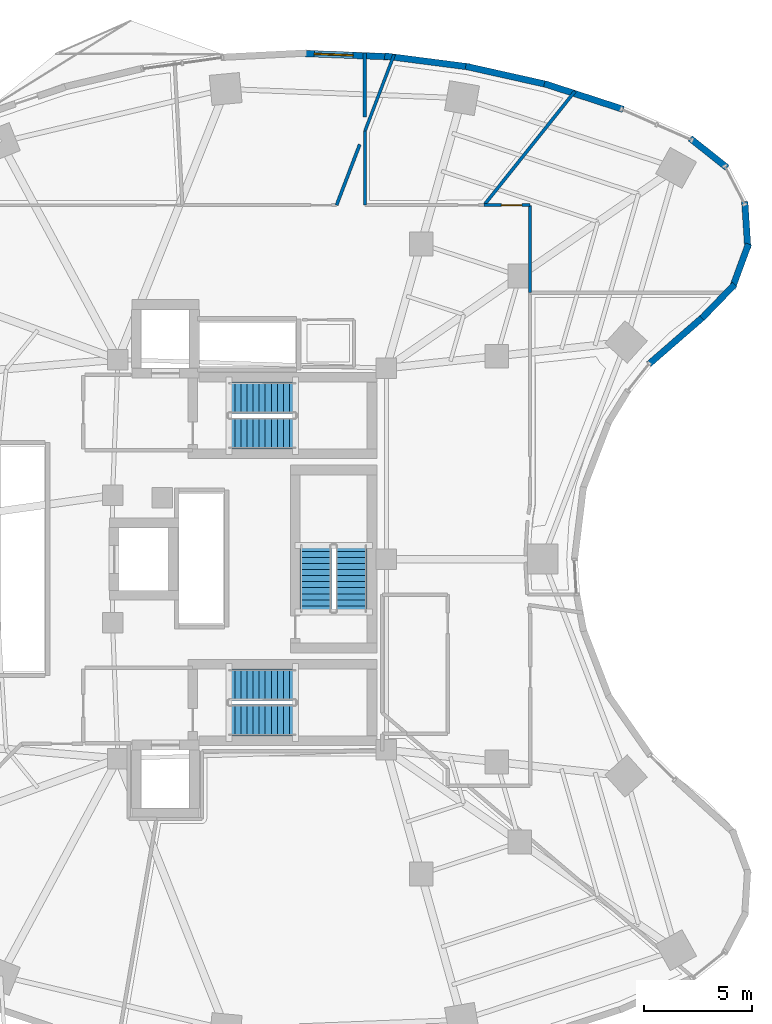
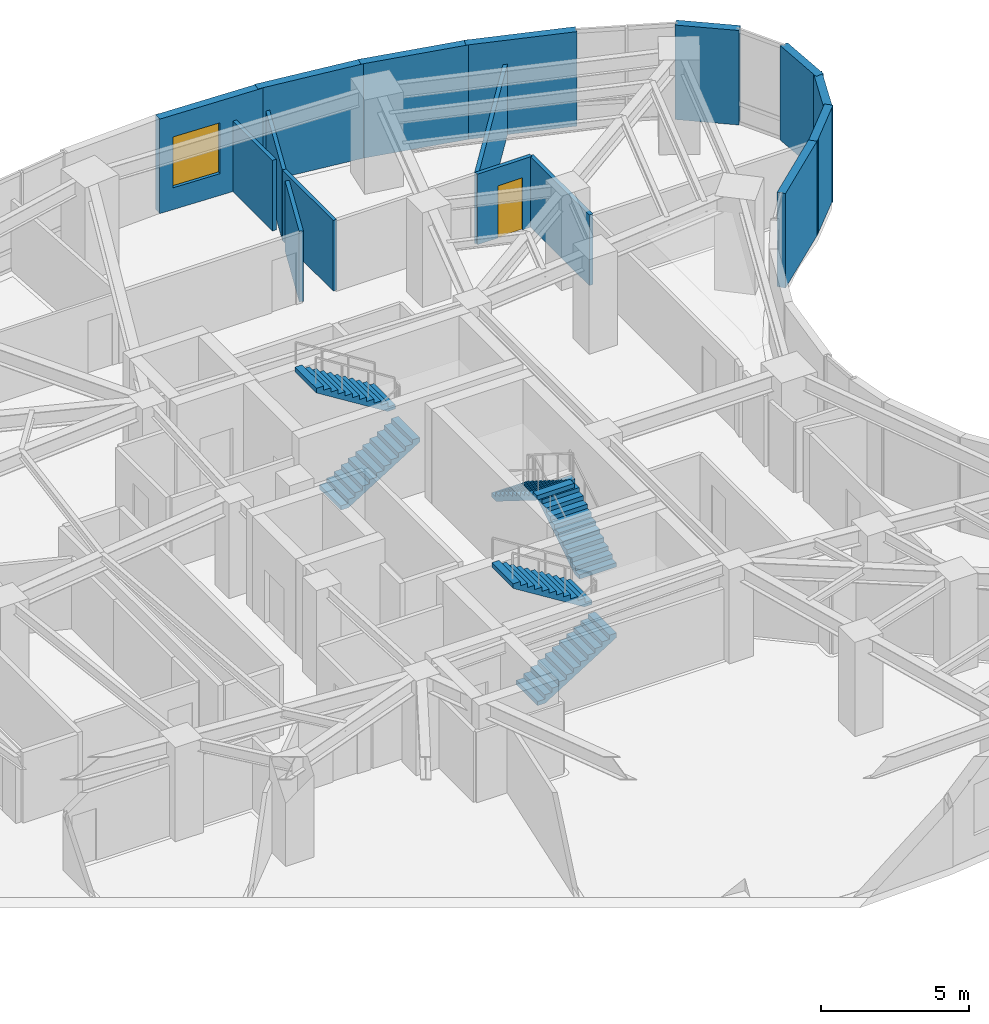
# One storey, part 11 of 14: 16 walls, 6 stair flights, 1 door, 1 window, 2 openings, 3 elements without a shape of their own.
"""IFC4 building model written with IfcOpenShell, lengths in metres."""

from ifc_helpers import new_model, si_unit, direction, frame, frame_2d, origin, place, context, subcontext, project, spatial, polyline, rectangle, outline, extrude, material, layer, layer_set, type_object, element, fill, aggregate, save


model = new_model("IFC4")

# Units and contexts
model_context = context("Model", 3, precision=1e-05, world=origin(), true_north=direction((0.0, 1.0)))
body_context = subcontext(model_context, "Body", "Model", "MODEL_VIEW")
ifc_project = project(units=[si_unit("LENGTHUNIT", "METRE"), si_unit("AREAUNIT", "SQUARE_METRE"), si_unit("VOLUMEUNIT", "CUBIC_METRE"), si_unit("PLANEANGLEUNIT", "RADIAN"), si_unit("MASSUNIT", "GRAM", prefix="KILO")], contexts=[model_context])

# Site, building, storey
site_placement = place(None, origin())
site = spatial("IfcSite", under=ifc_project, at=site_placement, CompositionType="ELEMENT")
building_placement = place(site_placement, origin())
building = spatial("IfcBuilding", under=site, at=building_placement, Name="Korentha Bioscience Tower", CompositionType="ELEMENT")
storey_placement = place(building_placement, frame((0.0, 0.0, 51.0)))
storey = spatial("IfcBuildingStorey", under=building, at=storey_placement, Name="L11", CompositionType="ELEMENT", Elevation=51.0)

# Wall, opening, door
ifc_material_1 = material(Name="Double-Stud Acoustic Gypsum", Category="gypsum")
ifc_layer_1 = layer(ifc_material_1, 0.14990234375, Name="Double-Stud Acoustic Gypsum")
ifc_layer_set_1 = layer_set([ifc_layer_1], Name="Double-Stud Acoustic Gypsum (IW-L150)")
wall_type_1 = type_object("IfcWallType", Name="Acoustic Laboratory Partition Wall 150", PredefinedType="PARTITIONING", material=ifc_layer_set_1)
wall_1_placement = place(storey_placement, frame((44.199951171875, 43.409912109375, 0.0), z_axis=(0.0, 0.0, 1.0), x_axis=(-1.0, 0.0, 0.0)))
wall_1 = element("IfcWall", 1, at=wall_1_placement, inside=storey, type_object=wall_type_1, Name="L11 Robotic Liquid-Handling Suite 07 Entrance Wall", PredefinedType="PARTITIONING", context=body_context, shape_type="SweptSolid", body=[
    extrude(rectangle(XDim=2.123779296875, YDim=0.14990234375, at=frame_2d((1.06201171875, 0.0))), origin(), (0.0, 0.0, 1.0), 2.909912109375),
])
opening_1_placement = place(wall_1_placement, frame((0.37158203125, 0.0, 0.0)))
opening_1 = element("IfcOpeningElement", 2, at=opening_1_placement, cuts=wall_1, Name="Opening ID-10L", PredefinedType="OPENING", context=body_context, shape_type="SweptSolid", body=[
    extrude(rectangle(XDim=0.949951171875, YDim=2.14990234375, at=frame_2d((0.47509765625, 1.074951171875))), frame((0.0, 0.08984375, 0.0), z_axis=(0.0, -1.0, 0.0), x_axis=(1.0, 0.0, 0.0)), (0.0, 0.0, 1.0), 0.1796875),
])
ifc_material_2 = material(Name="Phenolic Laminate Timber Core", Category="wood")
door_type = type_object("IfcDoorType", Name="Laboratory Single Leaf Door 950x2150 Left", OperationType="SINGLE_SWING_LEFT", PredefinedType="DOOR", material=ifc_material_2)
door_placement = place(opening_1_placement, origin())
door = element("IfcDoor", 3, at=door_placement, inside=storey, type_object=door_type, Name="L11 Robotic Liquid-Handling Suite 07 Door", OperationType="SINGLE_SWING_LEFT", OverallHeight=2.14990234375, OverallWidth=0.949951171875, PredefinedType="DOOR", context=body_context, shape_type="SweptSolid", body=[
    extrude(rectangle(XDim=0.949951171875, YDim=2.14990234375, at=frame_2d((0.47509765625, 1.074951171875))), frame((0.0, 0.02490234375, 0.0), z_axis=(0.0, -1.0, 0.0), x_axis=(1.0, 0.0, 0.0)), (0.0, 0.0, 1.0), 0.050048828125),
])
fill(opening_1, door)

# Walls
wall_2_placement = place(storey_placement, frame((44.2099609375, 39.35791015625, 0.0), z_axis=(0.0, 0.0, 1.0), x_axis=(0.0, 1.0, 0.0)))
element("IfcWall", 4, at=wall_2_placement, inside=storey, type_object=wall_type_1, Name="L11 Interior Partition 052", PredefinedType="PARTITIONING", context=body_context, shape_type="SweptSolid", body=[
    extrude(rectangle(XDim=4.0419921875, YDim=0.14990234375, at=frame_2d((2.02099609375, 0.0))), origin(), (0.0, 0.0, 1.0), 2.909912109375),
])
wall_3_placement = place(storey_placement, frame((42.076171875, 43.409912109375, 0.0), z_axis=(0.0, 0.0, 1.0), x_axis=(0.623883060792, 0.781517707066, 0.0)))
element("IfcWall", 5, at=wall_3_placement, inside=storey, type_object=wall_type_1, Name="L11 Interior Partition 053", PredefinedType="PARTITIONING", context=body_context, shape_type="SweptSolid", body=[
    extrude(rectangle(XDim=6.74951171875, YDim=0.14990234375, at=frame_2d((3.374755859375, 0.0))), origin(), (0.0, 0.0, 1.0), 2.909912109375),
])
wall_4_placement = place(storey_placement, frame((36.548095703125, 50.470458984375, 0.0), z_axis=(0.0, 0.0, 1.0), x_axis=(0.0, -1.0, 0.0)))
element("IfcWall", 6, at=wall_4_placement, inside=storey, type_object=wall_type_1, Name="L11 Interior Partition 056", PredefinedType="PARTITIONING", context=body_context, shape_type="SweptSolid", body=[
    extrude(rectangle(XDim=2.9677734375, YDim=0.14990234375, at=frame_2d((1.48388671875, 0.0))), origin(), (0.0, 0.0, 1.0), 2.909912109375),
])
wall_5_placement = place(storey_placement, frame((36.31201171875, 46.222900390625, 0.0), z_axis=(0.0, 0.0, 1.0), x_axis=(-0.356750456219, -0.934199717399, 0.0)))
element("IfcWall", 7, at=wall_5_placement, inside=storey, type_object=wall_type_1, Name="L11 Interior Partition 057", PredefinedType="PARTITIONING", context=body_context, shape_type="SweptSolid", body=[
    extrude(rectangle(XDim=3.01123046875, YDim=0.14990234375, at=frame_2d((1.505615234375, 0.0))), origin(), (0.0, 0.0, 1.0), 2.909912109375),
])
ifc_material_3 = material(Name="Insulated Aluminium Honeycomb Panel", Category="aluminium")
ifc_layer_2 = layer(ifc_material_3, 0.139892578125, Name="Insulated Aluminium Honeycomb Panel")
ifc_layer_set_2 = layer_set([ifc_layer_2], Name="Insulated Aluminium Honeycomb Panel (IW-F60)")
wall_type_2 = type_object("IfcWallType", Name="Cleanroom Flush Metal Panel Partition 140", PredefinedType="PARTITIONING", material=ifc_layer_set_2)
wall_6_placement = place(storey_placement, frame((36.552001953125, 43.409912109375, 0.0), z_axis=(0.0, 0.0, 1.0), x_axis=(0.0, 1.0, 0.0)))
element("IfcWall", 8, at=wall_6_placement, inside=storey, type_object=wall_type_2, Name="L11 Interior Partition 054", PredefinedType="PARTITIONING", context=body_context, shape_type="SweptSolid", body=[
    extrude(rectangle(XDim=3.430419921875, YDim=0.139892578125, at=frame_2d((1.71533203125, 0.0))), origin(), (0.0, 0.0, 1.0), 2.909912109375),
])
wall_7_placement = place(storey_placement, frame((36.552001953125, 46.84033203125, 0.0), z_axis=(0.0, 0.0, 1.0), x_axis=(0.356724060898, 0.934209796767, 0.0)))
element("IfcWall", 9, at=wall_7_placement, inside=storey, type_object=wall_type_2, Name="L11 Interior Partition 055", PredefinedType="PARTITIONING", context=body_context, shape_type="SweptSolid", body=[
    extrude(rectangle(XDim=3.788818359375, YDim=0.139892578125, at=frame_2d((1.89453125, 0.0))), origin(), (0.0, 0.0, 1.0), 2.909912109375),
])

# Wall, opening, window
ifc_material_4 = material(Name="Honed Limestone Precast Concrete C40", Category="masonry")
ifc_layer_3 = layer(ifc_material_4, 0.300048828125, Name="Honed Limestone Precast Concrete C40")
ifc_layer_set_3 = layer_set([ifc_layer_3], Name="Honed Limestone Precast Concrete C40 (EW-ST300)")
wall_type_3 = type_object("IfcWallType", Name="Honed Limestone Cavity Spandrel Wall 300", PredefinedType="STANDARD", material=ifc_layer_set_3)
wall_8_placement = place(storey_placement, frame((37.623046875, 50.288818359375, 0.0), z_axis=(0.0, 0.0, 1.0), x_axis=(-0.999247008469, 0.038799691558, 0.0)))
wall_8 = element("IfcWall", 10, at=wall_8_placement, inside=storey, type_object=wall_type_3, Name="L11 Honed Limestone Spandrel Wall 05", PredefinedType="STANDARD", context=body_context, shape_type="SweptSolid", body=[
    extrude(rectangle(XDim=3.93896484375, YDim=0.300048828125, at=frame_2d((1.969482421875, 0.0))), origin(), (0.0, 0.0, 1.0), 3.89990234375),
])
opening_2_placement = place(wall_8_placement, frame((1.624755859375, 0.0, 0.89990234375)))
opening_2 = element("IfcOpeningElement", 11, at=opening_2_placement, cuts=wall_8, Name="Opening WN-01", PredefinedType="OPENING", context=body_context, shape_type="SweptSolid", body=[
    extrude(rectangle(XDim=1.800048828125, YDim=2.10009765625, at=frame_2d((0.89990234375, 1.050048828125))), frame((0.0, 0.1650390625, 0.0), z_axis=(0.0, -1.0, 0.0), x_axis=(1.0, 0.0, 0.0)), (0.0, 0.0, 1.0), 0.329833984375),
])
ifc_material_5 = material(Name="Thermally Broken Aluminium Triple Glazing", Category="aluminium")
window_type = type_object("IfcWindowType", Name="Triple-Glazed Fixed Bioscience Window 1800x2100", PartitioningType="SINGLE_PANEL", PredefinedType="WINDOW", material=ifc_material_5)
window_placement = place(opening_2_placement, origin())
window = element("IfcWindow", 12, at=window_placement, inside=storey, type_object=window_type, Name="L11 Facade Window 05", OverallHeight=2.10009765625, OverallWidth=1.800048828125, PartitioningType="SINGLE_PANEL", PredefinedType="WINDOW", context=body_context, shape_type="SweptSolid", body=[
    extrude(rectangle(XDim=1.800048828125, YDim=2.10009765625, at=frame_2d((0.89990234375, 1.050048828125))), frame((0.0, 0.030029296875, 0.0), z_axis=(0.0, -1.0, 0.0), x_axis=(1.0, 0.0, 0.0)), (0.0, 0.0, 1.0), 0.06005859375),
])
fill(opening_2, window)

# Walls
wall_9_placement = place(storey_placement, frame((48.524658203125, 47.84912109375, 0.0), z_axis=(0.0, 0.0, 1.0), x_axis=(-0.950965833732, 0.309295947393, 0.0)))
element("IfcWall", 13, at=wall_9_placement, inside=storey, type_object=wall_type_3, Name="L11 Limestone Perimeter Closure Wall 02", PredefinedType="STANDARD", context=body_context, shape_type="SweptSolid", body=[
    extrude(rectangle(XDim=3.840087890625, YDim=0.300048828125, at=frame_2d((1.919921875, 0.0))), origin(), (0.0, 0.0, 1.0), 3.89990234375),
])
wall_10_placement = place(storey_placement, frame((45.03955078125, 48.9912109375, 0.0), z_axis=(0.0, 0.0, 1.0), x_axis=(-0.975868573345, 0.218358713032, 0.0)))
element("IfcWall", 14, at=wall_10_placement, inside=storey, type_object=wall_type_3, Name="L11 Limestone Perimeter Closure Wall 03", PredefinedType="STANDARD", context=body_context, shape_type="SweptSolid", body=[
    extrude(rectangle(XDim=3.90869140625, YDim=0.300048828125, at=frame_2d((1.954345703125, 0.0))), origin(), (0.0, 0.0, 1.0), 3.89990234375),
])
wall_11_placement = place(storey_placement, frame((41.39501953125, 49.814697265625, 0.0), z_axis=(0.0, 0.0, 1.0), x_axis=(-0.991734095036, 0.128310111617, 0.0)))
element("IfcWall", 15, at=wall_11_placement, inside=storey, type_object=wall_type_3, Name="L11 Limestone Perimeter Closure Wall 04", PredefinedType="STANDARD", context=body_context, shape_type="SweptSolid", body=[
    extrude(rectangle(XDim=3.955810546875, YDim=0.300048828125, at=frame_2d((1.97802734375, 0.0))), origin(), (0.0, 0.0, 1.0), 3.89990234375),
])
wall_12_placement = place(storey_placement, frame((49.708984375, 36.029296875, 0.0), z_axis=(0.0, 0.0, 1.0), x_axis=(0.754746490246, 0.656016566454, 0.0)))
element("IfcWall", 16, at=wall_12_placement, inside=storey, type_object=wall_type_3, Name="L11 Limestone Perimeter Closure Wall 56", PredefinedType="STANDARD", context=body_context, shape_type="SweptSolid", body=[
    extrude(rectangle(XDim=3.4296875, YDim=0.300048828125, at=frame_2d((1.71484375, 0.0))), origin(), (0.0, 0.0, 1.0), 3.89990234375),
])
wall_13_placement = place(storey_placement, frame((52.1728515625, 38.1611328125, 0.0), z_axis=(0.0, 0.0, 1.0), x_axis=(0.695404695719, 0.718618333451, 0.0)))
element("IfcWall", 17, at=wall_13_placement, inside=storey, type_object=wall_type_3, Name="L11 Limestone Perimeter Closure Wall 58", PredefinedType="STANDARD", context=body_context, shape_type="SweptSolid", body=[
    extrude(rectangle(XDim=2.1875, YDim=0.300048828125, at=frame_2d((1.09375, 0.0))), origin(), (0.0, 0.0, 1.0), 3.89990234375),
])
for number, where, z_axis, x_axis, name in (
    (18, (53.580078125, 39.551513671875, 0.0), (0.0, 0.0, 1.0), (0.344939866054, 0.938624785954, 0.0), "L11 Limestone Perimeter Closure Wall 59"),
    (19, (54.303955078125, 41.392578125, 0.0), (0.0, 0.0, 1.0), (-0.064615302336, 0.99791024782, 0.0), "L11 Limestone Perimeter Closure Wall 60"),
    (20, (53.343994140625, 45.142822265625, 0.0), (0.0, 0.0, 1.0), (-0.782282158644, 0.622924252432, 0.0), "L11 Limestone Perimeter Closure Wall 62"),
):
    element("IfcWall", number, at=place(storey_placement, frame(where, z_axis=z_axis, x_axis=x_axis)), inside=storey, type_object=wall_type_3, Name=name, PredefinedType="STANDARD", context=body_context, shape_type="SweptSolid", body=[
        extrude(rectangle(XDim=2.187744140625, YDim=0.300048828125, at=frame_2d((1.09375, 0.0))), origin(), (0.0, 0.0, 1.0), 3.89990234375),
    ])

# Stair, stair flights
ifc_material_6 = material(Name="Precast Concrete C50", Category="concrete")
stair_type = type_object("IfcStairType", Name="Core Exit Dog-Leg Stair 1450", PredefinedType="HALF_TURN_STAIR", material=ifc_material_6)
stair_1_placement = place(storey_placement, origin())
stair_1 = element("IfcStair", 21, at=stair_1_placement, inside=storey, type_object=stair_type, Name="L11 Tower North Pressurized Exit Stair ST-1", PredefinedType="HALF_TURN_STAIR")
stair_flight_type = type_object("IfcStairFlightType", Name="Core Exit Dog-Leg Stair 1450 Flight", PredefinedType="STRAIGHT", material=ifc_material_6)
stair_flight_1_placement = place(storey_placement, frame((30.25, 32.824951171875, 0.0), z_axis=(0.0, 0.0, 1.0), x_axis=(1.0, 0.0, 0.0)))
stair_flight_1 = element("IfcStairFlight", 22, at=stair_flight_1_placement, type_object=stair_flight_type, Name="ST-1 flight 1", NumberOfRisers=12, NumberOfTreads=11, PredefinedType="STRAIGHT", RiserHeight=0.175, TreadLength=0.28, context=body_context, shape_type="SweptSolid", body=[
    extrude(outline(polyline([(0.0, 0.0), (0.0, 0.175048828125), (0.280029296875, 0.175048828125), (0.280029296875, 0.35009765625), (0.56005859375, 0.35009765625), (0.56005859375, 0.52490234375), (0.840087890625, 0.52490234375), (0.840087890625, 0.699951171875), (1.1201171875, 0.699951171875), (1.1201171875, 0.875), (1.39990234375, 0.875), (1.39990234375, 1.050048828125), (1.679931640625, 1.050048828125), (1.679931640625, 1.22509765625), (1.9599609375, 1.22509765625), (1.9599609375, 1.39990234375), (2.239990234375, 1.39990234375), (2.239990234375, 1.574951171875), (2.52001953125, 1.574951171875), (2.52001953125, 1.75), (2.800048828125, 1.75), (2.800048828125, 1.925048828125), (3.080078125, 1.925048828125), (3.080078125, 2.10009765625), (3.080078125, 1.736328125), (0.3017578125, 0.0), (0.0, 0.0)])), frame((0.0, 0.72509765625, 0.0), z_axis=(0.0, -1.0, 0.0), x_axis=(1.0, 0.0, 0.0)), (0.0, 0.0, 1.0), 1.449951171875),
])
stair_flight_2_placement = place(storey_placement, frame((33.330078125, 34.47509765625, 2.10009765625), z_axis=(0.0, 0.0, 1.0), x_axis=(-1.0, 0.0, 0.0)))
stair_flight_2 = element("IfcStairFlight", 23, at=stair_flight_2_placement, type_object=stair_flight_type, Name="ST-1 flight 2", NumberOfRisers=12, NumberOfTreads=11, PredefinedType="STRAIGHT", RiserHeight=0.175, TreadLength=0.28, context=body_context, shape_type="SweptSolid", body=[
    extrude(outline(polyline([(0.0, 0.0), (0.0, 0.175048828125), (0.280029296875, 0.175048828125), (0.280029296875, 0.35009765625), (0.56005859375, 0.35009765625), (0.56005859375, 0.52490234375), (0.840087890625, 0.52490234375), (0.840087890625, 0.699951171875), (1.1201171875, 0.699951171875), (1.1201171875, 0.875), (1.39990234375, 0.875), (1.39990234375, 1.050048828125), (1.679931640625, 1.050048828125), (1.679931640625, 1.22509765625), (1.9599609375, 1.22509765625), (1.9599609375, 1.39990234375), (2.239990234375, 1.39990234375), (2.239990234375, 1.574951171875), (2.52001953125, 1.574951171875), (2.52001953125, 1.75), (2.800048828125, 1.75), (2.800048828125, 1.925048828125), (3.080078125, 1.925048828125), (3.080078125, 2.10009765625), (3.080078125, 1.736328125), (0.3017578125, 0.0), (0.0, 0.0)])), frame((0.0, 0.72509765625, 0.0), z_axis=(0.0, -1.0, 0.0), x_axis=(1.0, 0.0, 0.0)), (0.0, 0.0, 1.0), 1.449951171875),
])
aggregate(stair_1, [stair_flight_1, stair_flight_2])

stair_2_placement = place(storey_placement, origin())
stair_2 = element("IfcStair", 24, at=stair_2_placement, inside=storey, type_object=stair_type, Name="L11 Tower South Pressurized Exit Stair ST-2", PredefinedType="HALF_TURN_STAIR")
stair_flight_3_placement = place(storey_placement, frame((30.25, 19.52490234375, 0.0), z_axis=(0.0, 0.0, 1.0), x_axis=(1.0, 0.0, 0.0)))
stair_flight_3 = element("IfcStairFlight", 25, at=stair_flight_3_placement, type_object=stair_flight_type, Name="ST-2 flight 1", NumberOfRisers=12, NumberOfTreads=11, PredefinedType="STRAIGHT", RiserHeight=0.175, TreadLength=0.28, context=body_context, shape_type="SweptSolid", body=[
    extrude(outline(polyline([(0.0, 0.0), (0.0, 0.175048828125), (0.280029296875, 0.175048828125), (0.280029296875, 0.35009765625), (0.56005859375, 0.35009765625), (0.56005859375, 0.52490234375), (0.840087890625, 0.52490234375), (0.840087890625, 0.699951171875), (1.1201171875, 0.699951171875), (1.1201171875, 0.875), (1.39990234375, 0.875), (1.39990234375, 1.050048828125), (1.679931640625, 1.050048828125), (1.679931640625, 1.22509765625), (1.9599609375, 1.22509765625), (1.9599609375, 1.39990234375), (2.239990234375, 1.39990234375), (2.239990234375, 1.574951171875), (2.52001953125, 1.574951171875), (2.52001953125, 1.75), (2.800048828125, 1.75), (2.800048828125, 1.925048828125), (3.080078125, 1.925048828125), (3.080078125, 2.10009765625), (3.080078125, 1.736328125), (0.3017578125, 0.0), (0.0, 0.0)])), frame((0.0, 0.72509765625, 0.0), z_axis=(0.0, -1.0, 0.0), x_axis=(1.0, 0.0, 0.0)), (0.0, 0.0, 1.0), 1.449951171875),
])
stair_flight_4_placement = place(storey_placement, frame((33.330078125, 21.175048828125, 2.10009765625), z_axis=(0.0, 0.0, 1.0), x_axis=(-1.0, 0.0, 0.0)))
stair_flight_4 = element("IfcStairFlight", 26, at=stair_flight_4_placement, type_object=stair_flight_type, Name="ST-2 flight 2", NumberOfRisers=12, NumberOfTreads=11, PredefinedType="STRAIGHT", RiserHeight=0.175, TreadLength=0.28, context=body_context, shape_type="SweptSolid", body=[
    extrude(outline(polyline([(0.0, 0.0), (0.0, 0.175048828125), (0.280029296875, 0.175048828125), (0.280029296875, 0.35009765625), (0.56005859375, 0.35009765625), (0.56005859375, 0.52490234375), (0.840087890625, 0.52490234375), (0.840087890625, 0.699951171875), (1.1201171875, 0.699951171875), (1.1201171875, 0.875), (1.39990234375, 0.875), (1.39990234375, 1.050048828125), (1.679931640625, 1.050048828125), (1.679931640625, 1.22509765625), (1.9599609375, 1.22509765625), (1.9599609375, 1.39990234375), (2.239990234375, 1.39990234375), (2.239990234375, 1.574951171875), (2.52001953125, 1.574951171875), (2.52001953125, 1.75), (2.800048828125, 1.75), (2.800048828125, 1.925048828125), (3.080078125, 1.925048828125), (3.080078125, 2.10009765625), (3.080078125, 1.736328125), (0.3017578125, 0.0), (0.0, 0.0)])), frame((0.0, 0.72509765625, 0.0), z_axis=(0.0, -1.0, 0.0), x_axis=(1.0, 0.0, 0.0)), (0.0, 0.0, 1.0), 1.449951171875),
])
aggregate(stair_2, [stair_flight_3, stair_flight_4])

stair_3_placement = place(storey_placement, origin())
stair_3 = element("IfcStair", 27, at=stair_3_placement, inside=storey, type_object=stair_type, Name="L11 Tower Central Pressurized Exit Stair ST-3", PredefinedType="HALF_TURN_STAIR")
stair_flight_5_placement = place(storey_placement, frame((35.925048828125, 24.550048828125, 0.0), z_axis=(0.0, 0.0, 1.0), x_axis=(0.0, 1.0, 0.0)))
stair_flight_5 = element("IfcStairFlight", 28, at=stair_flight_5_placement, type_object=stair_flight_type, Name="ST-3 flight 1", NumberOfRisers=12, NumberOfTreads=11, PredefinedType="STRAIGHT", RiserHeight=0.175, TreadLength=0.28, context=body_context, shape_type="SweptSolid", body=[
    extrude(outline(polyline([(0.0, 0.0), (0.0, 0.175048828125), (0.280029296875, 0.175048828125), (0.280029296875, 0.35009765625), (0.56005859375, 0.35009765625), (0.56005859375, 0.52490234375), (0.840087890625, 0.52490234375), (0.840087890625, 0.699951171875), (1.1201171875, 0.699951171875), (1.1201171875, 0.875), (1.39990234375, 0.875), (1.39990234375, 1.050048828125), (1.679931640625, 1.050048828125), (1.679931640625, 1.22509765625), (1.9599609375, 1.22509765625), (1.9599609375, 1.39990234375), (2.239990234375, 1.39990234375), (2.239990234375, 1.574951171875), (2.52001953125, 1.574951171875), (2.52001953125, 1.75), (2.800048828125, 1.75), (2.800048828125, 1.925048828125), (3.080078125, 1.925048828125), (3.080078125, 2.10009765625), (3.080078125, 1.736328125), (0.3017578125, 0.0), (0.0, 0.0)])), frame((0.0, 0.72509765625, 0.0), z_axis=(0.0, -1.0, 0.0), x_axis=(1.0, 0.0, 0.0)), (0.0, 0.0, 1.0), 1.449951171875),
])
stair_flight_6_placement = place(storey_placement, frame((34.27490234375, 27.6298828125, 2.10009765625), z_axis=(0.0, 0.0, 1.0), x_axis=(0.0, -1.0, 0.0)))
stair_flight_6 = element("IfcStairFlight", 29, at=stair_flight_6_placement, type_object=stair_flight_type, Name="ST-3 flight 2", NumberOfRisers=12, NumberOfTreads=11, PredefinedType="STRAIGHT", RiserHeight=0.175, TreadLength=0.28, context=body_context, shape_type="SweptSolid", body=[
    extrude(outline(polyline([(0.0, 0.0), (0.0, 0.175048828125), (0.280029296875, 0.175048828125), (0.280029296875, 0.35009765625), (0.56005859375, 0.35009765625), (0.56005859375, 0.52490234375), (0.840087890625, 0.52490234375), (0.840087890625, 0.699951171875), (1.1201171875, 0.699951171875), (1.1201171875, 0.875), (1.39990234375, 0.875), (1.39990234375, 1.050048828125), (1.679931640625, 1.050048828125), (1.679931640625, 1.22509765625), (1.9599609375, 1.22509765625), (1.9599609375, 1.39990234375), (2.239990234375, 1.39990234375), (2.239990234375, 1.574951171875), (2.52001953125, 1.574951171875), (2.52001953125, 1.75), (2.800048828125, 1.75), (2.800048828125, 1.925048828125), (3.080078125, 1.925048828125), (3.080078125, 2.10009765625), (3.080078125, 1.736328125), (0.3017578125, 0.0), (0.0, 0.0)])), frame((0.0, 0.72509765625, 0.0), z_axis=(0.0, -1.0, 0.0), x_axis=(1.0, 0.0, 0.0)), (0.0, 0.0, 1.0), 1.449951171875),
])
aggregate(stair_3, [stair_flight_5, stair_flight_6])

save(model, "model.ifc")
